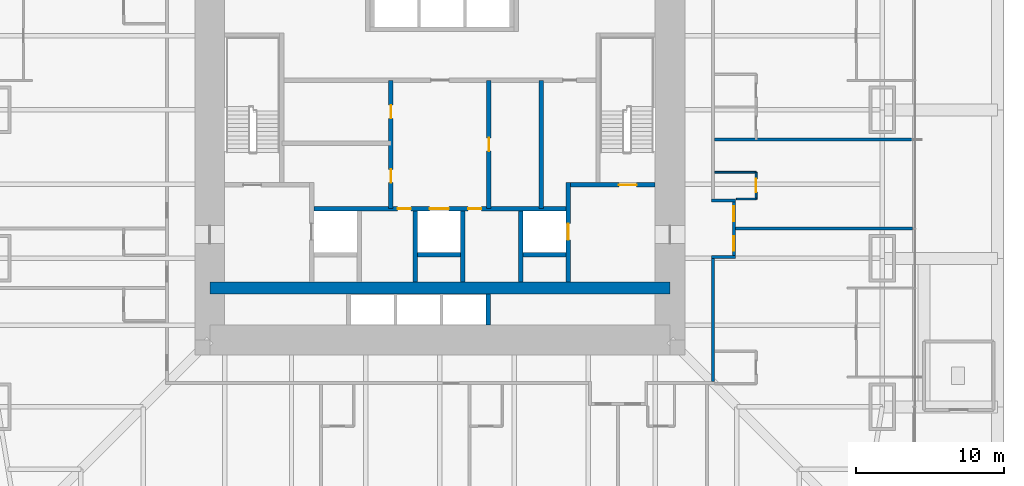
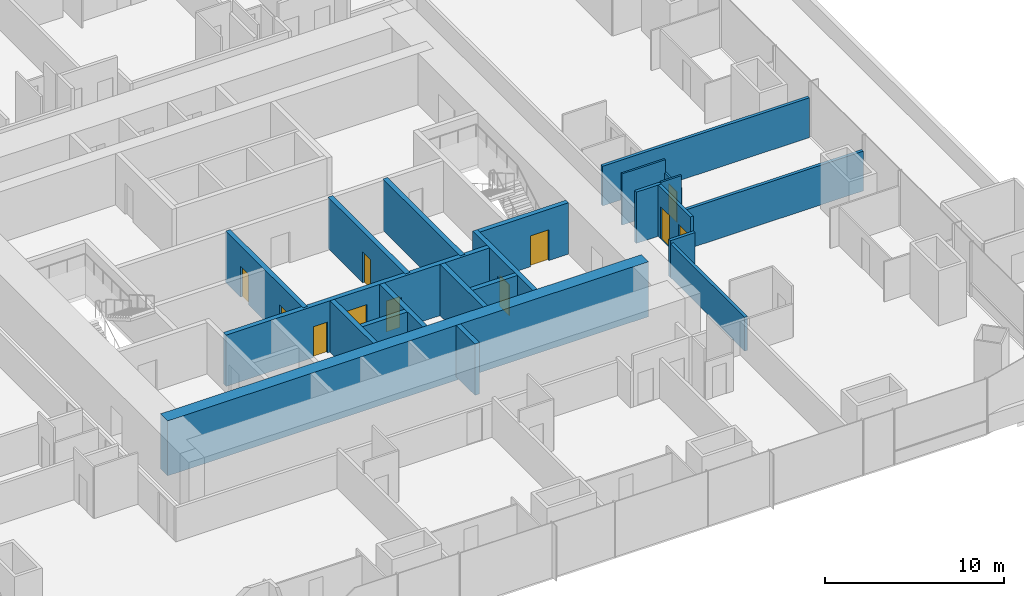
# One storey, part 15 of 20: 22 walls, 11 doors, 11 openings.
"""IFC4 building model written with IfcOpenShell, lengths in metres."""

from ifc_helpers import new_model, si_unit, direction, frame, frame_2d, origin, place, context, subcontext, project, spatial, rectangle, extrude, material, layer, layer_set, type_object, element, fill, save


model = new_model("IFC4")

# Units and contexts
model_context = context("Model", 3, precision=1e-05, world=origin(), true_north=direction((0.0, 1.0)))
body_context = subcontext(model_context, "Body", "Model", "MODEL_VIEW")
ifc_project = project(units=[si_unit("LENGTHUNIT", "METRE"), si_unit("AREAUNIT", "SQUARE_METRE"), si_unit("VOLUMEUNIT", "CUBIC_METRE"), si_unit("PLANEANGLEUNIT", "RADIAN"), si_unit("MASSUNIT", "GRAM", prefix="KILO")], contexts=[model_context])

# Site, building, storey
site_placement = place(None, origin())
site = spatial("IfcSite", under=ifc_project, at=site_placement, CompositionType="ELEMENT")
building_placement = place(site_placement, origin())
building = spatial("IfcBuilding", under=site, at=building_placement, Name="Khuree Lantern Residences", CompositionType="ELEMENT")
storey_placement = place(building_placement, frame((0.0, 0.0, 21.0)))
storey = spatial("IfcBuildingStorey", under=building, at=storey_placement, Name="L04", CompositionType="ELEMENT", Elevation=21.0)

# Wall, opening, door
ifc_material_1 = material(Name="Moisture-resistant gypsum board on steel studs", Category="steel")
ifc_layer_1 = layer(ifc_material_1, 0.125)
ifc_layer_set_1 = layer_set([ifc_layer_1], Name="BATHROOM WALL BTW125")
wall_type_1 = type_object("IfcWallType", Name="BATHROOM WALL BTW125", PredefinedType="PARTITIONING", material=ifc_layer_set_1)
wall_1_placement = place(storey_placement, frame((21.300048828125, -6.0, 0.0), z_axis=(0.0, 0.0, 1.0), x_axis=(0.0, 1.0, 0.0)))
wall_1 = element("IfcWall", 1, at=wall_1_placement, inside=storey, type_object=wall_type_1, Name="L04 BATHROOM WALL 01", PredefinedType="PARTITIONING", context=body_context, shape_type="SweptSolid", body=[
    extrude(rectangle(XDim=1.800048828125, YDim=0.125, at=frame_2d((0.89990234375, 0.0))), origin(), (0.0, 0.0, 1.0), 2.610107421875),
])
opening_1_placement = place(wall_1_placement, frame((0.449951171875, 0.0, 0.0)))
opening_1 = element("IfcOpeningElement", 2, at=opening_1_placement, cuts=wall_1, Name="Opening 04-021", PredefinedType="OPENING", context=body_context, shape_type="SweptSolid", body=[
    extrude(rectangle(XDim=0.89990234375, YDim=2.10009765625, at=frame_2d((0.449951171875, 1.050048828125))), frame((0.0, 0.072509765625, 0.0), z_axis=(0.0, -1.0, 0.0), x_axis=(1.0, 0.0, 0.0)), (0.0, 0.0, 1.0), 0.14501953125),
])
ifc_material_2 = material(Name="Timber door leaf in hardwood frame", Category="wood")
door_type_1 = type_object("IfcDoorType", Name="BATHROOM DOOR 900X2100", OperationType="SINGLE_SWING_LEFT", PredefinedType="DOOR", material=ifc_material_2)
door_1_placement = place(opening_1_placement, origin())
door_1 = element("IfcDoor", 3, at=door_1_placement, inside=storey, type_object=door_type_1, Name="Bathroom door 04-021", OperationType="SINGLE_SWING_LEFT", OverallHeight=2.10009765625, OverallWidth=0.89990234375, PredefinedType="DOOR", context=body_context, shape_type="SweptSolid", body=[
    extrude(rectangle(XDim=0.89990234375, YDim=2.10009765625, at=frame_2d((0.449951171875, 1.050048828125))), frame((0.0, 0.02490234375, 0.0), z_axis=(0.0, -1.0, 0.0), x_axis=(1.0, 0.0, 0.0)), (0.0, 0.0, 1.0), 0.050048828125),
])
fill(opening_1, door_1)

# Walls
wall_2_placement = place(storey_placement, frame((19.969970703125, -6.0, 0.0), z_axis=(0.0, 0.0, 1.0), x_axis=(1.0, 0.0, 0.0)))
element("IfcWall", 4, at=wall_2_placement, inside=storey, type_object=wall_type_1, Name="L04 BATHROOM WALL 01", PredefinedType="PARTITIONING", context=body_context, shape_type="SweptSolid", body=[
    extrude(rectangle(XDim=1.330078125, YDim=0.125, at=frame_2d((0.6650390625, 0.0))), origin(), (0.0, 0.0, 1.0), 3.5),
])
wall_3_placement = place(storey_placement, frame((18.5, -4.199951171875, 0.0), z_axis=(0.0, 0.0, 1.0), x_axis=(1.0, 0.0, 0.0)))
element("IfcWall", 5, at=wall_3_placement, inside=storey, type_object=wall_type_1, Name="L04 BATHROOM WALL 01", PredefinedType="PARTITIONING", context=body_context, shape_type="SweptSolid", body=[
    extrude(rectangle(XDim=2.800048828125, YDim=0.125, at=frame_2d((1.39990234375, 0.0))), origin(), (0.0, 0.0, 1.0), 3.5),
])

# Wall, opening, door
ifc_material_3 = material(Name="Dense concrete blockwork", Category="masonry")
ifc_layer_2 = layer(ifc_material_3, 0.300048828125)
ifc_layer_set_2 = layer_set([ifc_layer_2], Name="CORE PARTITION WALL CPW300 EI 120")
wall_type_2 = type_object("IfcWallType", Name="CORE PARTITION WALL CPW300 EI 120", PredefinedType="PARTITIONING", material=ifc_layer_set_2)
wall_4_placement = place(storey_placement, frame((8.64990234375, -11.60009765625, 0.0), z_axis=(0.0, 0.0, 1.0), x_axis=(0.0, 1.0, 0.0)))
wall_4 = element("IfcWall", 6, at=wall_4_placement, inside=storey, type_object=wall_type_2, Name="L04 CORE WALL FL2E", PredefinedType="PARTITIONING", context=body_context, shape_type="SweptSolid", body=[
    extrude(rectangle(XDim=6.7001953125, YDim=0.300048828125, at=frame_2d((3.35009765625, 0.0))), origin(), (0.0, 0.0, 1.0), 3.5),
])
opening_2_placement = place(wall_4_placement, frame((2.85009765625, 0.0, 0.0)))
opening_2 = element("IfcOpeningElement", 7, at=opening_2_placement, cuts=wall_4, Name="Opening 04-008", PredefinedType="OPENING", context=body_context, shape_type="SweptSolid", body=[
    extrude(rectangle(XDim=1.10009765625, YDim=2.10009765625, at=frame_2d((0.550048828125, 1.050048828125))), frame((0.0, 0.16015625, 0.0), z_axis=(0.0, -1.0, 0.0), x_axis=(1.0, 0.0, 0.0)), (0.0, 0.0, 1.0), 0.320068359375),
])
ifc_material_4 = material(Name="Stainless steel lift landing door", Category="steel")
door_type_2 = type_object("IfcDoorType", Name="LIFT LANDING DOOR 1100X2100 E 120", OperationType="DOUBLE_DOOR_SLIDING", PredefinedType="DOOR", material=ifc_material_4)
door_2_placement = place(opening_2_placement, origin())
door_2 = element("IfcDoor", 8, at=door_2_placement, inside=storey, type_object=door_type_2, Name="Landing door FL2 04-008", OperationType="DOUBLE_DOOR_SLIDING", OverallHeight=2.10009765625, OverallWidth=1.10009765625, PredefinedType="DOOR", context=body_context, shape_type="SweptSolid", body=[
    extrude(rectangle(XDim=1.10009765625, YDim=2.10009765625, at=frame_2d((0.550048828125, 1.050048828125))), frame((0.0, 0.02490234375, 0.0), z_axis=(0.0, -1.0, 0.0), x_axis=(1.0, 0.0, 0.0)), (0.0, 0.0, 1.0), 0.050048828125),
])
fill(opening_2, door_2)

# Wall, openings, doors
wall_5_placement = place(storey_placement, frame((-8.5, -6.64990234375, 0.0), z_axis=(0.0, 0.0, 1.0), x_axis=(1.0, 0.0, 0.0)))
wall_5 = element("IfcWall", 9, at=wall_5_placement, inside=storey, type_object=wall_type_2, Name="L04 CORE WALL FLROW", PredefinedType="PARTITIONING", context=body_context, shape_type="SweptSolid", body=[
    extrude(rectangle(XDim=17.0, YDim=0.300048828125, at=frame_2d((8.5, 0.0))), origin(), (0.0, 0.0, 1.0), 3.5),
])
opening_3_placement = place(wall_5_placement, frame((7.800048828125, 0.0, 0.0)))
opening_3 = element("IfcOpeningElement", 10, at=opening_3_placement, cuts=wall_5, Name="Opening 04-012", PredefinedType="OPENING", context=body_context, shape_type="SweptSolid", body=[
    extrude(rectangle(XDim=1.300048828125, YDim=2.39990234375, at=frame_2d((0.64990234375, 1.199951171875))), frame((0.0, 0.16015625, 0.0), z_axis=(0.0, -1.0, 0.0), x_axis=(1.0, 0.0, 0.0)), (0.0, 0.0, 1.0), 0.320068359375),
])
opening_4_placement = place(wall_5_placement, frame((5.64990234375, 0.0, 0.0)))
opening_4 = element("IfcOpeningElement", 11, at=opening_4_placement, cuts=wall_5, Name="Opening 04-014", PredefinedType="OPENING", context=body_context, shape_type="SweptSolid", body=[
    extrude(rectangle(XDim=0.89990234375, YDim=2.10009765625, at=frame_2d((0.449951171875, 1.050048828125))), frame((0.0, 0.16015625, 0.0), z_axis=(0.0, -1.0, 0.0), x_axis=(1.0, 0.0, 0.0)), (0.0, 0.0, 1.0), 0.320068359375),
])
opening_5_placement = place(wall_5_placement, frame((10.39990234375, 0.0, 0.0)))
opening_5 = element("IfcOpeningElement", 12, at=opening_5_placement, cuts=wall_5, Name="Opening 04-015", PredefinedType="OPENING", context=body_context, shape_type="SweptSolid", body=[
    extrude(rectangle(XDim=0.89990234375, YDim=2.10009765625, at=frame_2d((0.449951171875, 1.050048828125))), frame((0.0, 0.16015625, 0.0), z_axis=(0.0, -1.0, 0.0), x_axis=(1.0, 0.0, 0.0)), (0.0, 0.0, 1.0), 0.320068359375),
])
ifc_material_5 = material(Name="Steel door leaf in steel frame", Category="steel")
door_type_3 = type_object("IfcDoorType", Name="DOOR 900X2100 EI 60", OperationType="SINGLE_SWING_LEFT", PredefinedType="DOOR", material=ifc_material_5)
door_3_placement = place(opening_4_placement, origin())
door_3 = element("IfcDoor", 13, at=door_3_placement, inside=storey, type_object=door_type_3, Name="Refuse chute room door 04-014", OperationType="SINGLE_SWING_LEFT", OverallHeight=2.10009765625, OverallWidth=0.89990234375, PredefinedType="DOOR", context=body_context, shape_type="SweptSolid", body=[
    extrude(rectangle(XDim=0.89990234375, YDim=2.10009765625, at=frame_2d((0.449951171875, 1.050048828125))), frame((0.0, 0.02490234375, 0.0), z_axis=(0.0, -1.0, 0.0), x_axis=(1.0, 0.0, 0.0)), (0.0, 0.0, 1.0), 0.050048828125),
])
fill(opening_4, door_3)
door_type_4 = type_object("IfcDoorType", Name="DOOR 900X2100 EI 60 RIGHT HAND", OperationType="SINGLE_SWING_RIGHT", PredefinedType="DOOR", material=ifc_material_5)
door_4_placement = place(opening_5_placement, origin())
door_4 = element("IfcDoor", 14, at=door_4_placement, inside=storey, type_object=door_type_4, Name="Electrical and plumbing riser door 04-015", OperationType="SINGLE_SWING_RIGHT", OverallHeight=2.10009765625, OverallWidth=0.89990234375, PredefinedType="DOOR", context=body_context, shape_type="SweptSolid", body=[
    extrude(rectangle(XDim=0.89990234375, YDim=2.10009765625, at=frame_2d((0.449951171875, 1.050048828125))), frame((0.0, 0.02490234375, 0.0), z_axis=(0.0, -1.0, 0.0), x_axis=(1.0, 0.0, 0.0)), (0.0, 0.0, 1.0), 0.050048828125),
])
fill(opening_5, door_4)
door_type_5 = type_object("IfcDoorType", Name="LIFT LANDING DOOR 1300X2400 E 60", OperationType="DOUBLE_DOOR_SLIDING", PredefinedType="DOOR", material=ifc_material_4)
door_5_placement = place(opening_3_placement, origin())
door_5 = element("IfcDoor", 15, at=door_5_placement, inside=storey, type_object=door_type_5, Name="Landing door SL1 04-012", OperationType="DOUBLE_DOOR_SLIDING", OverallHeight=2.39990234375, OverallWidth=1.300048828125, PredefinedType="DOOR", context=body_context, shape_type="SweptSolid", body=[
    extrude(rectangle(XDim=1.300048828125, YDim=2.39990234375, at=frame_2d((0.64990234375, 1.199951171875))), frame((0.0, 0.02490234375, 0.0), z_axis=(0.0, -1.0, 0.0), x_axis=(1.0, 0.0, 0.0)), (0.0, 0.0, 1.0), 0.050048828125),
])
fill(opening_3, door_5)

# Walls
for number, where, z_axis, x_axis, name in (
    (16, (-1.64990234375, -11.60009765625, 0.0), (0.0, 0.0, 1.0), (0.0, 1.0, 0.0), "L04 CORE WALL SL1W"),
    (17, (1.550048828125, -11.60009765625, 0.0), (0.0, 0.0, 1.0), (0.0, 1.0, 0.0), "L04 CORE WALL SL1E"),
    (18, (5.449951171875, -11.60009765625, 0.0), (0.0, 0.0, 1.0), (0.0, 1.0, 0.0), "L04 CORE WALL FL2W"),
):
    element("IfcWall", number, at=place(storey_placement, frame(where, z_axis=z_axis, x_axis=x_axis)), inside=storey, type_object=wall_type_2, Name=name, PredefinedType="PARTITIONING", context=body_context, shape_type="SweptSolid", body=[
        extrude(rectangle(XDim=4.800048828125, YDim=0.300048828125, at=frame_2d((2.39990234375, 0.0))), origin(), (0.0, 0.0, 1.0), 3.5),
    ])
for number, where, z_axis, x_axis, name in (
    (19, (-1.5, -9.75, 0.0), (0.0, 0.0, 1.0), (1.0, 0.0, 0.0), "L04 CORE WALL SL1S"),
    (20, (5.60009765625, -9.75, 0.0), (0.0, 0.0, 1.0), (1.0, 0.0, 0.0), "L04 CORE WALL FL2S"),
):
    element("IfcWall", number, at=place(storey_placement, frame(where, z_axis=z_axis, x_axis=x_axis)), inside=storey, type_object=wall_type_2, Name=name, PredefinedType="PARTITIONING", context=body_context, shape_type="SweptSolid", body=[
        extrude(rectangle(XDim=2.89990234375, YDim=0.300048828125, at=frame_2d((1.449951171875, 0.0))), origin(), (0.0, 0.0, 1.0), 3.5),
    ])
wall_6_placement = place(storey_placement, frame((3.25, -14.5, 0.0), z_axis=(0.0, 0.0, 1.0), x_axis=(0.0, 1.0, 0.0)))
element("IfcWall", 21, at=wall_6_placement, inside=storey, type_object=wall_type_2, Name="L04 CORE WALL PME", PredefinedType="PARTITIONING", context=body_context, shape_type="SweptSolid", body=[
    extrude(rectangle(XDim=2.10009765625, YDim=0.300048828125, at=frame_2d((1.050048828125, 0.0))), origin(), (0.0, 0.0, 1.0), 3.5),
])

# Wall, openings, doors
wall_7_placement = place(storey_placement, frame((-3.300048828125, -6.64990234375, 0.0), z_axis=(0.0, 0.0, 1.0), x_axis=(0.0, 1.0, 0.0)))
wall_7 = element("IfcWall", 22, at=wall_7_placement, inside=storey, type_object=wall_type_2, Name="L04 CORE WALL SVW", PredefinedType="PARTITIONING", context=body_context, shape_type="SweptSolid", body=[
    extrude(rectangle(XDim=8.64990234375, YDim=0.300048828125, at=frame_2d((4.324951171875, 0.0))), origin(), (0.0, 0.0, 1.0), 3.5),
])
opening_6_placement = place(wall_7_placement, frame((1.75, 0.0, 0.0)))
opening_6 = element("IfcOpeningElement", 23, at=opening_6_placement, cuts=wall_7, Name="Opening 04-016", PredefinedType="OPENING", context=body_context, shape_type="SweptSolid", body=[
    extrude(rectangle(XDim=0.89990234375, YDim=2.10009765625, at=frame_2d((0.449951171875, 1.050048828125))), frame((0.0, 0.16015625, 0.0), z_axis=(0.0, -1.0, 0.0), x_axis=(1.0, 0.0, 0.0)), (0.0, 0.0, 1.0), 0.320068359375),
])
opening_7_placement = place(wall_7_placement, frame((6.074951171875, 0.0, 0.0)))
opening_7 = element("IfcOpeningElement", 24, at=opening_7_placement, cuts=wall_7, Name="Opening 04-017", PredefinedType="OPENING", context=body_context, shape_type="SweptSolid", body=[
    extrude(rectangle(XDim=0.89990234375, YDim=2.10009765625, at=frame_2d((0.449951171875, 1.050048828125))), frame((0.0, 0.16015625, 0.0), z_axis=(0.0, -1.0, 0.0), x_axis=(1.0, 0.0, 0.0)), (0.0, 0.0, 1.0), 0.320068359375),
])
door_type_6 = type_object("IfcDoorType", Name="DOOR 900X2100", OperationType="SINGLE_SWING_LEFT", PredefinedType="DOOR", material=ifc_material_2)
door_6_placement = place(opening_6_placement, origin())
door_6 = element("IfcDoor", 25, at=door_6_placement, inside=storey, type_object=door_type_6, Name="Residents' store door 04-016", OperationType="SINGLE_SWING_LEFT", OverallHeight=2.10009765625, OverallWidth=0.89990234375, PredefinedType="DOOR", context=body_context, shape_type="SweptSolid", body=[
    extrude(rectangle(XDim=0.89990234375, YDim=2.10009765625, at=frame_2d((0.449951171875, 1.050048828125))), frame((0.0, 0.02490234375, 0.0), z_axis=(0.0, -1.0, 0.0), x_axis=(1.0, 0.0, 0.0)), (0.0, 0.0, 1.0), 0.050048828125),
])
fill(opening_6, door_6)
door_7_placement = place(opening_7_placement, origin())
door_7 = element("IfcDoor", 26, at=door_7_placement, inside=storey, type_object=door_type_6, Name="Residents' store door 04-017", OperationType="SINGLE_SWING_LEFT", OverallHeight=2.10009765625, OverallWidth=0.89990234375, PredefinedType="DOOR", context=body_context, shape_type="SweptSolid", body=[
    extrude(rectangle(XDim=0.89990234375, YDim=2.10009765625, at=frame_2d((0.449951171875, 1.050048828125))), frame((0.0, 0.02490234375, 0.0), z_axis=(0.0, -1.0, 0.0), x_axis=(1.0, 0.0, 0.0)), (0.0, 0.0, 1.0), 0.050048828125),
])
fill(opening_7, door_7)

# Wall, opening, door
wall_8_placement = place(storey_placement, frame((3.300048828125, -6.64990234375, 0.0), z_axis=(0.0, 0.0, 1.0), x_axis=(0.0, 1.0, 0.0)))
wall_8 = element("IfcWall", 27, at=wall_8_placement, inside=storey, type_object=wall_type_2, Name="L04 CORE WALL SVE", PredefinedType="PARTITIONING", context=body_context, shape_type="SweptSolid", body=[
    extrude(rectangle(XDim=8.64990234375, YDim=0.300048828125, at=frame_2d((4.324951171875, 0.0))), origin(), (0.0, 0.0, 1.0), 3.5),
])
opening_8_placement = place(wall_8_placement, frame((3.875, 0.0, 0.0)))
opening_8 = element("IfcOpeningElement", 28, at=opening_8_placement, cuts=wall_8, Name="Opening 04-018", PredefinedType="OPENING", context=body_context, shape_type="SweptSolid", body=[
    extrude(rectangle(XDim=0.89990234375, YDim=2.10009765625, at=frame_2d((0.449951171875, 1.050048828125))), frame((0.0, 0.16015625, 0.0), z_axis=(0.0, -1.0, 0.0), x_axis=(1.0, 0.0, 0.0)), (0.0, 0.0, 1.0), 0.320068359375),
])
door_8_placement = place(opening_8_placement, origin())
door_8 = element("IfcDoor", 29, at=door_8_placement, inside=storey, type_object=door_type_6, Name="Residents' store door 04-018", OperationType="SINGLE_SWING_LEFT", OverallHeight=2.10009765625, OverallWidth=0.89990234375, PredefinedType="DOOR", context=body_context, shape_type="SweptSolid", body=[
    extrude(rectangle(XDim=0.89990234375, YDim=2.10009765625, at=frame_2d((0.449951171875, 1.050048828125))), frame((0.0, 0.02490234375, 0.0), z_axis=(0.0, -1.0, 0.0), x_axis=(1.0, 0.0, 0.0)), (0.0, 0.0, 1.0), 0.050048828125),
])
fill(opening_8, door_8)

# Walls
wall_9_placement = place(storey_placement, frame((6.833984375, -6.64990234375, 0.0), z_axis=(0.0, 0.0, 1.0), x_axis=(0.0, 1.0, 0.0)))
element("IfcWall", 30, at=wall_9_placement, inside=storey, type_object=wall_type_2, Name="L04 CORE WALL EV", PredefinedType="PARTITIONING", context=body_context, shape_type="SweptSolid", body=[
    extrude(rectangle(XDim=8.64990234375, YDim=0.300048828125, at=frame_2d((4.324951171875, 0.0))), origin(), (0.0, 0.0, 1.0), 3.5),
])
ifc_material_6 = material(Name="Gypsum board on steel studs", Category="steel")
ifc_layer_3 = layer(ifc_material_6, 0.199951171875)
ifc_layer_set_3 = layer_set([ifc_layer_3], Name="CORRIDOR WALL CRW200 EI 60")
wall_type_3 = type_object("IfcWallType", Name="CORRIDOR WALL CRW200 EI 60", PredefinedType="PARTITIONING", material=ifc_layer_set_3)
wall_10_placement = place(storey_placement, frame((18.39990234375, -18.300048828125, 0.0), z_axis=(0.0, 0.0, 1.0), x_axis=(0.0, 1.0, 0.0)))
element("IfcWall", 31, at=wall_10_placement, inside=storey, type_object=wall_type_3, Name="L04 CORRIDOR WALL EAST 1", PredefinedType="PARTITIONING", context=body_context, shape_type="SweptSolid", body=[
    extrude(rectangle(XDim=8.300048828125, YDim=0.199951171875, at=frame_2d((4.14990234375, 0.0))), origin(), (0.0, 0.0, 1.0), 2.300048828125),
])
wall_11_placement = place(storey_placement, frame((18.300048828125, -9.89990234375, 0.0), z_axis=(0.0, 0.0, 1.0), x_axis=(1.0, 0.0, 0.0)))
element("IfcWall", 32, at=wall_11_placement, inside=storey, type_object=wall_type_3, Name="L04 CORRIDOR ALCOVE WALL EAST", PredefinedType="PARTITIONING", context=body_context, shape_type="SweptSolid", body=[
    extrude(rectangle(XDim=1.599853515625, YDim=0.199951171875, at=frame_2d((0.7998046875, 0.0))), origin(), (0.0, 0.0, 1.0), 2.491943359375),
])
wall_12_placement = place(storey_placement, frame((18.300048828125, -6.10009765625, 0.0), z_axis=(0.0, 0.0, 1.0), x_axis=(1.0, 0.0, 0.0)))
element("IfcWall", 33, at=wall_12_placement, inside=storey, type_object=wall_type_3, Name="L04 CORRIDOR ALCOVE WALL EAST", PredefinedType="PARTITIONING", context=body_context, shape_type="SweptSolid", body=[
    extrude(rectangle(XDim=1.599853515625, YDim=0.199951171875, at=frame_2d((0.7998046875, 0.0))), origin(), (0.0, 0.0, 1.0), 3.5),
])

# Wall, openings, doors
wall_13_placement = place(storey_placement, frame((19.800048828125, -9.800048828125, 0.0), z_axis=(0.0, 0.0, 1.0), x_axis=(0.0, 1.0, 0.0)))
wall_13 = element("IfcWall", 34, at=wall_13_placement, inside=storey, type_object=wall_type_3, Name="L04 CORRIDOR ALCOVE WALL EAST", PredefinedType="PARTITIONING", context=body_context, shape_type="SweptSolid", body=[
    extrude(rectangle(XDim=3.60009765625, YDim=0.199951171875, at=frame_2d((1.800048828125, 0.0))), origin(), (0.0, 0.0, 1.0), 3.5),
])
opening_9_placement = place(wall_13_placement, frame((2.300048828125, 0.0, 0.0)))
opening_9 = element("IfcOpeningElement", 35, at=opening_9_placement, cuts=wall_13, Name="Opening 04-022", PredefinedType="OPENING", context=body_context, shape_type="SweptSolid", body=[
    extrude(rectangle(XDim=1.0, YDim=2.199951171875, at=frame_2d((0.5, 1.10009765625))), frame((0.0, 0.10986328125, 0.0), z_axis=(0.0, -1.0, 0.0), x_axis=(1.0, 0.0, 0.0)), (0.0, 0.0, 1.0), 0.219970703125),
])
opening_10_placement = place(wall_13_placement, frame((0.300048828125, 0.0, 0.0)))
opening_10 = element("IfcOpeningElement", 36, at=opening_10_placement, cuts=wall_13, Name="Opening 04-062", PredefinedType="OPENING", context=body_context, shape_type="SweptSolid", body=[
    extrude(rectangle(XDim=1.0, YDim=2.199951171875, at=frame_2d((0.5, 1.10009765625))), frame((0.0, 0.10986328125, 0.0), z_axis=(0.0, -1.0, 0.0), x_axis=(1.0, 0.0, 0.0)), (0.0, 0.0, 1.0), 0.219970703125),
])
door_type_7 = type_object("IfcDoorType", Name="APARTMENT ENTRANCE DOOR 1000X2200 EI 30S", OperationType="SINGLE_SWING_LEFT", PredefinedType="DOOR", material=ifc_material_2)
door_9_placement = place(opening_10_placement, origin())
door_9 = element("IfcDoor", 37, at=door_9_placement, inside=storey, type_object=door_type_7, Name="Apartment 14 entrance door 04-062", OperationType="SINGLE_SWING_LEFT", OverallHeight=2.199951171875, OverallWidth=1.0, PredefinedType="DOOR", context=body_context, shape_type="SweptSolid", body=[
    extrude(rectangle(XDim=1.0, YDim=2.199951171875, at=frame_2d((0.5, 1.10009765625))), frame((0.0, 0.02490234375, 0.0), z_axis=(0.0, -1.0, 0.0), x_axis=(1.0, 0.0, 0.0)), (0.0, 0.0, 1.0), 0.050048828125),
])
fill(opening_10, door_9)
door_type_8 = type_object("IfcDoorType", Name="APARTMENT ENTRANCE DOOR 1000X2200 EI 30S RIGHT HAND", OperationType="SINGLE_SWING_RIGHT", PredefinedType="DOOR", material=ifc_material_2)
door_10_placement = place(opening_9_placement, origin())
door_10 = element("IfcDoor", 38, at=door_10_placement, inside=storey, type_object=door_type_8, Name="Apartment 01 entrance door 04-022", OperationType="SINGLE_SWING_RIGHT", OverallHeight=2.199951171875, OverallWidth=1.0, PredefinedType="DOOR", context=body_context, shape_type="SweptSolid", body=[
    extrude(rectangle(XDim=1.0, YDim=2.199951171875, at=frame_2d((0.5, 1.10009765625))), frame((0.0, 0.02490234375, 0.0), z_axis=(0.0, -1.0, 0.0), x_axis=(1.0, 0.0, 0.0)), (0.0, 0.0, 1.0), 0.050048828125),
])
fill(opening_9, door_10)

# Walls
ifc_layer_4 = layer(ifc_material_6, 0.199951171875)
ifc_layer_set_4 = layer_set([ifc_layer_4], Name="DEMISING WALL DMW200 EI 90")
wall_type_4 = type_object("IfcWallType", Name="DEMISING WALL DMW200 EI 90", PredefinedType="PARTITIONING", material=ifc_layer_set_4)
wall_14_placement = place(storey_placement, frame((19.89990234375, -8.0, 0.0), z_axis=(0.0, 0.0, 1.0), x_axis=(1.0, 0.0, 0.0)))
element("IfcWall", 39, at=wall_14_placement, inside=storey, type_object=wall_type_4, Name="L04 DEMISING WALL 01", PredefinedType="PARTITIONING", context=body_context, shape_type="SweptSolid", body=[
    extrude(rectangle(XDim=11.9501953125, YDim=0.199951171875, at=frame_2d((5.97509765625, 0.0))), origin(), (0.0, 0.0, 1.0), 2.7099609375),
])
wall_15_placement = place(storey_placement, frame((18.5, -2.0, 0.0), z_axis=(0.0, 0.0, 1.0), x_axis=(1.0, 0.0, 0.0)))
element("IfcWall", 40, at=wall_15_placement, inside=storey, type_object=wall_type_4, Name="L04 DEMISING WALL 02", PredefinedType="PARTITIONING", context=body_context, shape_type="SweptSolid", body=[
    extrude(rectangle(XDim=13.35009765625, YDim=0.199951171875, at=frame_2d((6.675048828125, 0.0))), origin(), (0.0, 0.0, 1.0), 2.7099609375),
])
ifc_material_7 = material(Name="Concrete C70/85", Category="concrete")
ifc_layer_5 = layer(ifc_material_7, 0.800048828125)
ifc_layer_set_5 = layer_set([ifc_layer_5], Name="SP800-C70 CORE SPINE WALL C70 800")
wall_type_5 = type_object("IfcWallType", Name="SP800-C70 CORE SPINE WALL C70 800", PredefinedType="SHEAR", material=ifc_layer_set_5)
wall_16_placement = place(storey_placement, frame((-15.5, -12.0, -0.25), z_axis=(0.0, 0.0, 1.0), x_axis=(1.0, 0.0, 0.0)))
element("IfcWall", 41, at=wall_16_placement, inside=storey, type_object=wall_type_5, Name="Core wall SPS", PredefinedType="SHEAR", context=body_context, shape_type="SweptSolid", body=[
    extrude(rectangle(XDim=31.0, YDim=0.800048828125, at=frame_2d((15.5, 0.0))), origin(), (0.0, 0.0, 1.0), 3.75),
])

# Wall, opening, door
ifc_material_8 = material(Name="Concrete C50/60", Category="concrete")
ifc_layer_6 = layer(ifc_material_8, 0.300048828125)
ifc_layer_set_6 = layer_set([ifc_layer_6], Name="STAIR WALL SRW300 C50/60 REI 240")
wall_type_6 = type_object("IfcWallType", Name="STAIR WALL SRW300 C50/60 REI 240", PredefinedType="SOLIDWALL", material=ifc_layer_set_6)
wall_17_placement = place(storey_placement, frame((14.5, -5.050048828125, 0.0), z_axis=(0.0, 0.0, 1.0), x_axis=(-1.0, 0.0, 0.0)))
wall_17 = element("IfcWall", 42, at=wall_17_placement, inside=storey, type_object=wall_type_6, Name="L04 STAIR WALL ST2S", PredefinedType="SOLIDWALL", context=body_context, shape_type="SweptSolid", body=[
    extrude(rectangle(XDim=5.699951171875, YDim=0.300048828125, at=frame_2d((2.85009765625, 0.0))), origin(), (0.0, 0.0, 1.0), 3.5),
])
opening_11_placement = place(wall_17_placement, frame((1.25, 0.0, 0.0)))
opening_11 = element("IfcOpeningElement", 43, at=opening_11_placement, cuts=wall_17, Name="Opening 04-004", PredefinedType="OPENING", context=body_context, shape_type="SweptSolid", body=[
    extrude(rectangle(XDim=1.199951171875, YDim=2.10009765625, at=frame_2d((0.60009765625, 1.050048828125))), frame((0.0, 0.16015625, 0.0), z_axis=(0.0, -1.0, 0.0), x_axis=(1.0, 0.0, 0.0)), (0.0, 0.0, 1.0), 0.320068359375),
])
door_type_9 = type_object("IfcDoorType", Name="STAIR DOOR 1200X2100 EI 120", OperationType="SINGLE_SWING_LEFT", PredefinedType="DOOR", material=ifc_material_5)
door_11_placement = place(opening_11_placement, origin())
door_11 = element("IfcDoor", 44, at=door_11_placement, inside=storey, type_object=door_type_9, Name="Stair ST2 door 04-004", OperationType="SINGLE_SWING_LEFT", OverallHeight=2.10009765625, OverallWidth=1.199951171875, PredefinedType="DOOR", context=body_context, shape_type="SweptSolid", body=[
    extrude(rectangle(XDim=1.199951171875, YDim=2.10009765625, at=frame_2d((0.60009765625, 1.050048828125))), frame((0.0, 0.02490234375, 0.0), z_axis=(0.0, -1.0, 0.0), x_axis=(1.0, 0.0, 0.0)), (0.0, 0.0, 1.0), 0.050048828125),
])
fill(opening_11, door_11)

save(model, "model.ifc")
